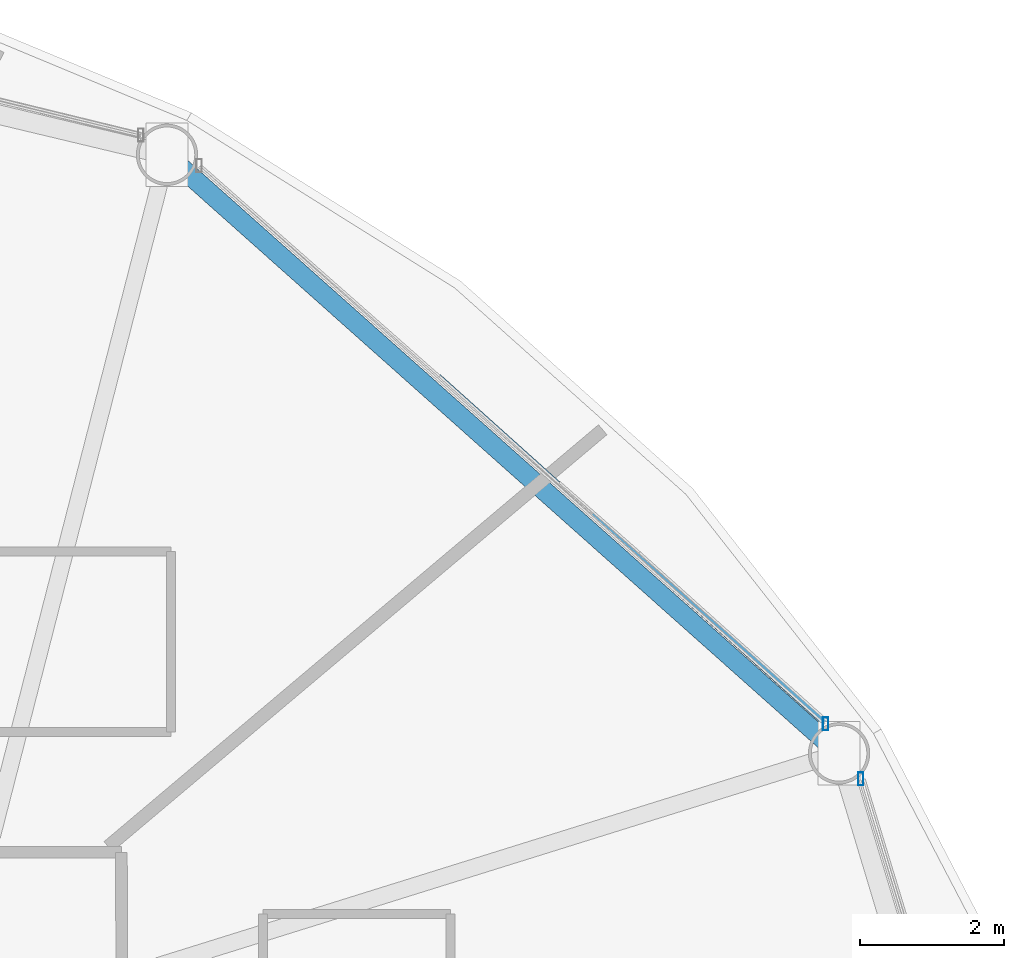
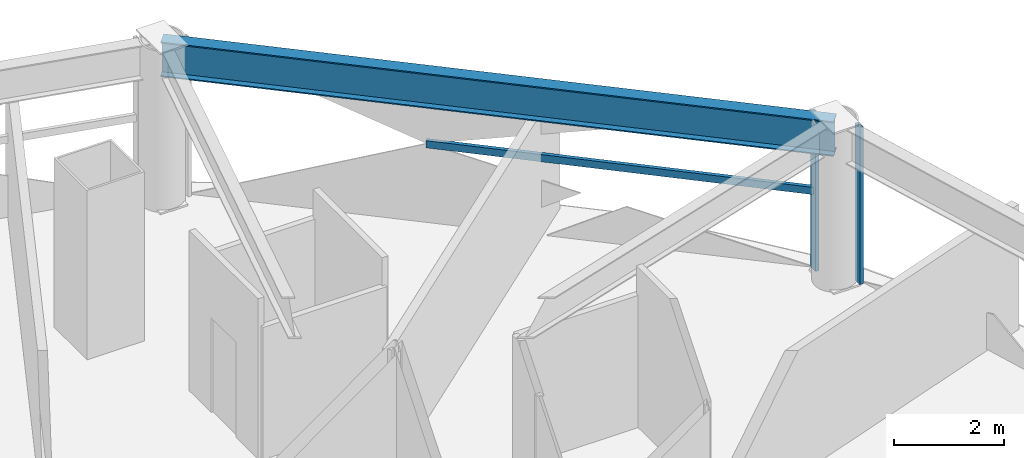
# One storey, part 20 of 31: 3 members, 1 beam, 2 elements without a shape of their own.
"""IFC4 building model written with IfcOpenShell, lengths in metres."""

from ifc_helpers import new_model, si_unit, direction, frame, origin, origin_2d, place, context, subcontext, project, spatial, hollow_rectangle, i_section, extrude, material, layer, layer_set, material_profile, profile_set, type_object, element, aggregate, save


model = new_model("IFC4")

# Units and contexts
model_context = context("Model", 3, precision=1e-05, world=origin(), true_north=direction((0.0, 1.0)))
body_context = subcontext(model_context, "Body", "Model", "MODEL_VIEW")
ifc_project = project(units=[si_unit("LENGTHUNIT", "METRE"), si_unit("AREAUNIT", "SQUARE_METRE"), si_unit("VOLUMEUNIT", "CUBIC_METRE"), si_unit("PLANEANGLEUNIT", "RADIAN"), si_unit("MASSUNIT", "GRAM", prefix="KILO")], contexts=[model_context])

# Site, building, storey
site_placement = place(None, origin())
site = spatial("IfcSite", under=ifc_project, at=site_placement, CompositionType="ELEMENT")
building_placement = place(site_placement, origin())
building = spatial("IfcBuilding", under=site, at=building_placement, Name="Vantalir Tower", CompositionType="ELEMENT")
storey_placement = place(building_placement, frame((0.0, 0.0, 30.75)))
storey = spatial("IfcBuildingStorey", under=building, at=storey_placement, Name="L06", CompositionType="ELEMENT", Elevation=30.75)

# Beam
ifc_material_1 = material(Name="Steel S460", Category="steel")
ifc_material_profile_1 = material_profile(ifc_material_1, i_section(OverallWidth=0.26806640625, OverallDepth=0.77001953125, WebThickness=0.015625, FlangeThickness=0.025390625, at=origin_2d()), Name="Steel S460")
ifc_profile_set_1 = profile_set([ifc_material_profile_1], Name="Steel S460")
beam_type = type_object("IfcBeamType", Name="BM-RG-762x267", PredefinedType="USERDEFINED", material=ifc_profile_set_1)
beam_placement = place(storey_placement, frame((53.5400390625, 36.33203125, 3.18505859375), z_axis=(-0.746774014303, 0.665077868795, 0.0), x_axis=(-0.665077868795, -0.746774014303, 0.0)))
element("IfcBeam", 1, at=beam_placement, inside=storey, type_object=beam_type, Name="L06 Circumferential Ring Girder 02", ObjectType="GIRDER", PredefinedType="USERDEFINED", context=body_context, shape_type="SweptSolid", body=[
    extrude(i_section(OverallWidth=0.26806640625, OverallDepth=0.77001953125, WebThickness=0.015625, FlangeThickness=0.025390625, at=origin_2d()), origin(), (0.0, 0.0, 1.0), 12.4736328125),
])

# Curtain wall, member
ifc_material_2 = material(Name="Champagne-silver PVDF aluminium and double-silver Low-E glass", Category="aluminium")
ifc_layer = layer(ifc_material_2, 0.18994140625)
ifc_layer_set = layer_set([ifc_layer], Name="Champagne-silver PVDF aluminium and double-silver Low-E glass")
curtain_wall_type = type_object("IfcCurtainWallType", Name="CW-DIAMOND-Z1", PredefinedType="USERDEFINED", material=ifc_layer_set)
curtain_wall_1_placement = place(storey_placement, origin())
curtain_wall_1 = element("IfcCurtainWall", 2, at=curtain_wall_1_placement, inside=storey, type_object=curtain_wall_type, Name="L06 Quilted Pyramid-Diamond Curtain Wall S01", ObjectType="UNITISED CURTAIN WALL", PredefinedType="USERDEFINED")
ifc_material_3 = material(Name="Champagne-silver PVDF aluminium 6063-T6", Category="aluminium")
ifc_material_profile_2 = material_profile(ifc_material_3, hollow_rectangle(XDim=0.074951171875, YDim=0.179931640625, WallThickness=0.00390625, at=origin_2d()), Name="Champagne-silver PVDF aluminium 6063-T6")
ifc_profile_set_2 = profile_set([ifc_material_profile_2], Name="Champagne-silver PVDF aluminium 6063-T6")
member_type_1 = type_object("IfcMemberType", Name="CWM-180x75", PredefinedType="MULLION", material=ifc_profile_set_2)
member_1_placement = place(storey_placement, frame((53.840087890625, 35.97705078125, 0.044921875), z_axis=(0.0, 0.0, 1.0), x_axis=(1.0, 0.0, 0.0)))
member_1 = element("IfcMember", 3, at=member_1_placement, type_object=member_type_1, Name="CW-L06-S01 Mullion 2", PredefinedType="MULLION", context=body_context, shape_type="SweptSolid", body=[
    extrude(hollow_rectangle(XDim=0.074951171875, YDim=0.179931640625, WallThickness=0.00390625, at=origin_2d()), origin(), (0.0, 0.0, 1.0), 3.47998046875),
])
aggregate(curtain_wall_1, [member_1])

# Curtain wall, members
curtain_wall_2_placement = place(storey_placement, origin())
curtain_wall_2 = element("IfcCurtainWall", 4, at=curtain_wall_2_placement, inside=storey, type_object=curtain_wall_type, Name="L06 Quilted Pyramid-Diamond Curtain Wall S02", ObjectType="UNITISED CURTAIN WALL", PredefinedType="USERDEFINED")
member_2_placement = place(storey_placement, frame((53.35400390625, 36.739990234375, 0.044921875), z_axis=(0.0, 0.0, 1.0), x_axis=(1.0, 0.0, 0.0)))
member_2 = element("IfcMember", 5, at=member_2_placement, type_object=member_type_1, Name="CW-L06-S02 Mullion 1", PredefinedType="MULLION", context=body_context, shape_type="SweptSolid", body=[
    extrude(hollow_rectangle(XDim=0.074951171875, YDim=0.179931640625, WallThickness=0.00390625, at=origin_2d()), origin(), (0.0, 0.0, 1.0), 3.47998046875),
])
ifc_material_profile_3 = material_profile(ifc_material_3, hollow_rectangle(XDim=0.074951171875, YDim=0.159912109375, WallThickness=0.00390625, at=origin_2d()), Name="Champagne-silver PVDF aluminium 6063-T6")
ifc_profile_set_3 = profile_set([ifc_material_profile_3], Name="Champagne-silver PVDF aluminium 6063-T6")
member_type_2 = type_object("IfcMemberType", Name="CWT-160x75", PredefinedType="USERDEFINED", material=ifc_profile_set_3)
member_3_placement = place(storey_placement, frame((53.35400390625, 36.739990234375, 1.784912109375), z_axis=(-0.744348873439, 0.667790951279, 0.0), x_axis=(-0.667790951279, -0.744348873439, 0.0)))
member_3 = element("IfcMember", 6, at=member_3_placement, type_object=member_type_2, Name="CW-L06-S02 Pyramid Fold Ridge Transom", ObjectType="TRANSOM", PredefinedType="USERDEFINED", context=body_context, shape_type="SweptSolid", body=[
    extrude(hollow_rectangle(XDim=0.074951171875, YDim=0.159912109375, WallThickness=0.00390625, at=origin_2d()), origin(), (0.0, 0.0, 1.0), 7.210205078125),
])
aggregate(curtain_wall_2, [member_2, member_3])

save(model, "model.ifc")
